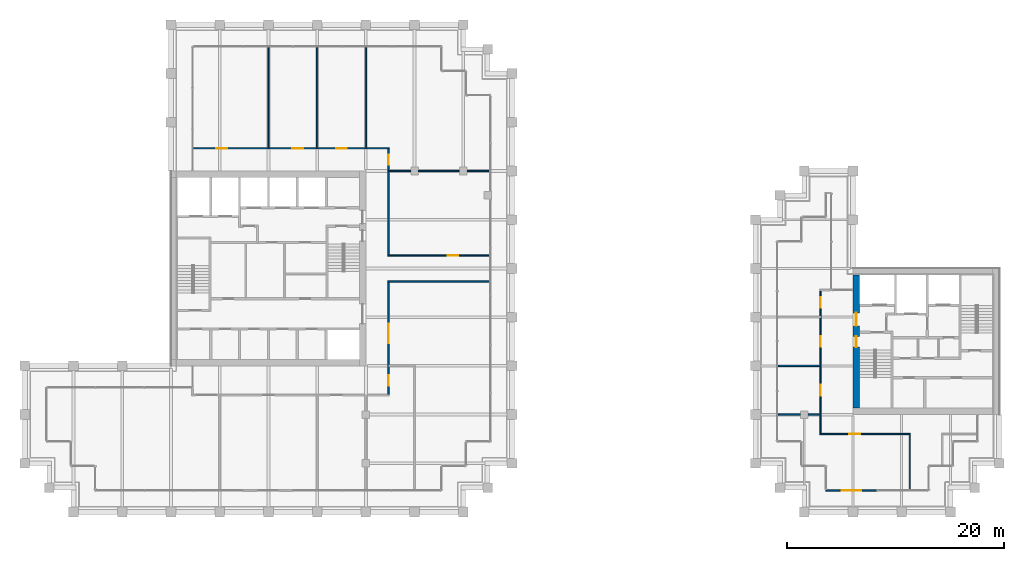
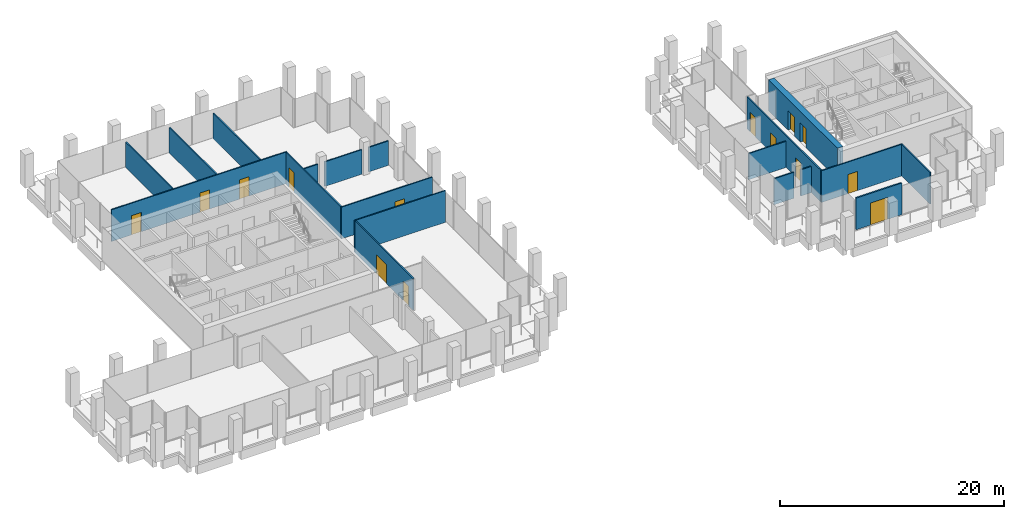
# One storey, part 37 of 40: 19 walls, 14 doors, 14 openings.
"""IFC4 building model written with IfcOpenShell, lengths in metres."""

import ifcopenshell
import ifcopenshell.guid

model = None  # the IFC model being written
_history = None  # IfcOwnerHistory: only IFC2X3 demands one
_inside = {}  # id of a spatial element -> (the spatial element, [elements in it])
_under = {}  # id of a project, library or spatial element -> (it, [spatial elements below it])
_declared = {}  # id of a project -> (the project, [libraries it declares])
_typed = {}  # id of a type object -> (the type object, [elements of that type])
_made_of = {}  # id of a material, layer set ... -> (it, [elements and type objects made of it])


def new_model(schema):
    """Start an empty IFC model of exactly this schema.

    Asked for "IFC4X3", IfcOpenShell would pick the latest addendum, in which some entities
    have other attributes; the version numbers below select the first issue.
    IFC2X3 requires an IfcOwnerHistory on every rooted entity: one is made here for all.
    """
    global model, _history
    if schema == "IFC4X3":
        model = ifcopenshell.file(schema_version=(4, 3, 0, 0))
    else:
        model = ifcopenshell.file(schema=schema)
    _inside.clear()
    _under.clear()
    _declared.clear()
    _typed.clear()
    _made_of.clear()
    _history = None
    if model.schema == "IFC2X3":
        org = make("IfcOrganization", Name="unknown")
        user = make(
            "IfcPersonAndOrganization",
            ThePerson=make("IfcPerson", FamilyName="unknown"),
            TheOrganization=org,
        )
        app = make(
            "IfcApplication",
            ApplicationDeveloper=org,
            Version="unknown",
            ApplicationFullName="unknown",
            ApplicationIdentifier="unknown",
        )
        _history = make(
            "IfcOwnerHistory",
            OwningUser=user,
            OwningApplication=app,
            ChangeAction="ADDED",
            CreationDate=0,
        )
    return model


def make(cls, **values):
    """One entity of the class cls with the attributes given. An attribute that is None is left unset."""
    return model.create_entity(
        cls, **{name: value for name, value in values.items() if value is not None}
    )


def rooted(cls, **values):
    """An entity with a GlobalId (a new one), such as an element, a storey or a relation."""
    return make(cls, GlobalId=ifcopenshell.guid.new(), OwnerHistory=_history, **values)


def si_unit(unit_type, name, prefix=None):
    """IfcSIUnit, for example si_unit("LENGTHUNIT", "METRE", prefix="MILLI")."""
    return make("IfcSIUnit", UnitType=unit_type, Prefix=prefix, Name=name)


def assignment(units):
    """IfcUnitAssignment: the units of a project."""
    return None if units is None else make("IfcUnitAssignment", Units=units)


def point(xyz):
    """IfcCartesianPoint."""
    return None if xyz is None else make("IfcCartesianPoint", Coordinates=xyz)


def direction(xyz):
    """IfcDirection."""
    return None if xyz is None else make("IfcDirection", DirectionRatios=xyz)


def frame(location, z_axis=None, x_axis=None):
    """IfcAxis2Placement3D, a coordinate frame: its origin and axes. An axis left out is left unset."""
    return make(
        "IfcAxis2Placement3D",
        Location=point(location),
        Axis=direction(z_axis),
        RefDirection=direction(x_axis),
    )


def frame_2d(location, x_axis=None):
    """IfcAxis2Placement2D, a coordinate frame in the plane: its origin and x axis."""
    return make(
        "IfcAxis2Placement2D", Location=point(location), RefDirection=direction(x_axis)
    )


def origin():
    """The frame at (0, 0, 0) with its axes left unset."""
    return frame((0.0, 0.0, 0.0))


def place(relative_to, where):
    """IfcLocalPlacement: puts the frame where relative to a parent placement (None: the world)."""
    return make(
        "IfcLocalPlacement", PlacementRelTo=relative_to, RelativePlacement=where
    )


def context(
    kind, dimensions, precision=None, world=None, true_north=None, identifier=None
):
    """IfcGeometricRepresentationContext, for example the 3D "Model" context."""
    return make(
        "IfcGeometricRepresentationContext",
        ContextIdentifier=identifier,
        ContextType=kind,
        CoordinateSpaceDimension=dimensions,
        Precision=precision,
        WorldCoordinateSystem=world,
        TrueNorth=true_north,
    )


def subcontext(parent, identifier, kind, view, scale=None):
    """IfcGeometricRepresentationSubContext, for example "Body" below "Model"."""
    return make(
        "IfcGeometricRepresentationSubContext",
        ContextIdentifier=identifier,
        ContextType=kind,
        ParentContext=parent,
        TargetScale=scale,
        TargetView=view,
    )


def project(units=None, contexts=None):
    """IfcProject with its units and contexts."""
    return rooted(
        "IfcProject",
        Name="project",
        RepresentationContexts=contexts,
        UnitsInContext=assignment(units),
    )


def spatial(cls, under=None, at=None, **own):
    """A site, building, storey or space (cls), placed at a placement, below another one or the project."""
    s = rooted(cls, ObjectPlacement=at, **own)
    if under is not None:
        _under.setdefault(under.id(), (under, []))[1].append(s)
    return s


def profile(cls, at=None, kind="AREA", **sizes):
    """A parametric profile (cls). Its sizes go by their IFC names, for example OverallWidth=200.0."""
    return make(cls, ProfileType=kind, Position=at, **sizes)


def rectangle(**sizes):
    """IfcRectangleProfileDef."""
    return profile("IfcRectangleProfileDef", **sizes)


def extrude(swept, where, along, depth):
    """IfcExtrudedAreaSolid: the profile swept, set in the frame where, extruded along a direction by depth."""
    return make(
        "IfcExtrudedAreaSolid",
        SweptArea=swept,
        Position=where,
        ExtrudedDirection=direction(along),
        Depth=depth,
    )


def shape(context_of_items, identifier, shape_type, items):
    """IfcShapeRepresentation: the items that make up one representation, for example the "Body"."""
    return make(
        "IfcShapeRepresentation",
        ContextOfItems=context_of_items,
        RepresentationIdentifier=identifier,
        RepresentationType=shape_type,
        Items=items,
    )


def material(Name=None, Category=None):
    """IfcMaterial."""
    return make("IfcMaterial", Name=Name, Category=Category)


def layer(
    of_material, thickness, ventilated=None, Name=None, Category=None, Priority=None
):
    """IfcMaterialLayer: one layer of a wall or slab, of a material (None: an air gap)."""
    return make(
        "IfcMaterialLayer",
        Material=of_material,
        LayerThickness=thickness,
        IsVentilated=ventilated,
        Name=Name,
        Category=Category,
        Priority=Priority,
    )


def layer_set(layers, Name=None):
    """IfcMaterialLayerSet."""
    return make("IfcMaterialLayerSet", MaterialLayers=layers, LayerSetName=Name)


def made_of(thing, what):
    """Note that an element or type object is made of a material, layer set ...; save() writes the relation."""
    if what is not None:
        _made_of.setdefault(what.id(), (what, []))[1].append(thing)
    return thing


def type_object(cls, material=None, **own):
    """A type object (cls), such as IfcWallType, which elements share."""
    return made_of(rooted(cls, **own), material)


def element(
    cls,
    number,
    at=None,
    inside=None,
    cuts=None,
    type_object=None,
    material=None,
    context=None,
    identifier="Body",
    shape_type=None,
    held_by="IfcProductDefinitionShape",
    body=None,
    shapes=None,
    **own,
):
    """One element of the class cls, such as IfcWall. Its Tag is "e" and its number.

    at: its placement. inside: the storey or other place that contains it. cuts: it is an
    opening in that element (IfcRelVoidsElement). A single representation is given by context,
    identifier, shape_type and body (its items); several are given by shapes. held_by: the class
    of the entity that holds the representations. save() writes the other relations.
    """
    e = rooted(cls, Tag="e%d" % number, ObjectPlacement=at, **own)
    if body is not None:
        shapes = [shape(context, identifier, shape_type, body)]
    if shapes is not None:
        e.Representation = make(held_by, Representations=shapes)
    if inside is not None:
        _inside.setdefault(inside.id(), (inside, []))[1].append(e)
    if cuts is not None:
        rooted(
            "IfcRelVoidsElement", RelatingBuildingElement=cuts, RelatedOpeningElement=e
        )
    if type_object is not None:
        _typed.setdefault(type_object.id(), (type_object, []))[1].append(e)
    return made_of(e, material)


def fill(opening, filler):
    """IfcRelFillsElement: the door or window that sits in an opening."""
    return rooted(
        "IfcRelFillsElement",
        RelatingOpeningElement=opening,
        RelatedBuildingElement=filler,
    )


def aggregate(whole, parts):
    """IfcRelAggregates: a whole, such as a stair, and the parts it consists of."""
    return rooted("IfcRelAggregates", RelatingObject=whole, RelatedObjects=parts)


def save(model, path):
    """Write the relations noted so far, then the file.

    IfcRelAggregates (storeys below a building ...), IfcRelContainedInSpatialStructure (elements
    in a storey), IfcRelDefinesByType, IfcRelAssociatesMaterial and IfcRelDeclares: one each for
    every whole, place, type object, material and project.
    """
    for whole, parts in _under.values():
        aggregate(whole, parts)
    for where, things in _inside.values():
        rooted(
            "IfcRelContainedInSpatialStructure",
            RelatedElements=things,
            RelatingStructure=where,
        )
    for kind, things in _typed.values():
        rooted("IfcRelDefinesByType", RelatedObjects=things, RelatingType=kind)
    for what, things in _made_of.values():
        rooted("IfcRelAssociatesMaterial", RelatedObjects=things, RelatingMaterial=what)
    for by, libraries in _declared.values():
        rooted("IfcRelDeclares", RelatingContext=by, RelatedDefinitions=libraries)
    model.write(path)


model = new_model("IFC4")

# Units and contexts
model_context = context("Model", 3, precision=1e-05, world=origin(), true_north=direction((0.0, 1.0)))
body_context = subcontext(model_context, "Body", "Model", "MODEL_VIEW")
ifc_project = project(units=[si_unit("LENGTHUNIT", "METRE"), si_unit("AREAUNIT", "SQUARE_METRE"), si_unit("VOLUMEUNIT", "CUBIC_METRE"), si_unit("PLANEANGLEUNIT", "RADIAN"), si_unit("MASSUNIT", "GRAM", prefix="KILO")], contexts=[model_context])

# Site, building, storey
site_placement = place(None, origin())
site = spatial("IfcSite", under=ifc_project, at=site_placement, CompositionType="ELEMENT")
building_placement = place(site_placement, origin())
building = spatial("IfcBuilding", under=site, at=building_placement, Name="Altepetl Exchange Towers", CompositionType="ELEMENT")
storey_placement = place(building_placement, frame((0.0, 0.0, 169.0)))
storey = spatial("IfcBuildingStorey", under=building, at=storey_placement, Name="L42", CompositionType="ELEMENT", Elevation=169.0)

# Wall, openings, doors
ifc_material_1 = material(Name="Concrete C70/85", Category="concrete")
ifc_layer_1 = layer(ifc_material_1, 0.60009765625)
ifc_layer_set_1 = layer_set([ifc_layer_1], Name="Concrete C70/85")
wall_type_1 = type_object("IfcWallType", Name="Core wall 600 reinforced concrete", PredefinedType="SHEAR", material=ifc_layer_set_1)
wall_1_placement = place(storey_placement, frame((103.800048828125, 36.60009765625, 0.0), z_axis=(0.0, 0.0, 1.0), x_axis=(0.0, 1.0, 0.0)))
wall_1 = element("IfcWall", 1, at=wall_1_placement, inside=storey, type_object=wall_type_1, Name="wall:B:L42:K-coreW", PredefinedType="SHEAR", context=body_context, shape_type="SweptSolid", body=[
    extrude(rectangle(XDim=12.2998046875, YDim=0.60009765625, at=frame_2d((6.14990234375, 0.0))), origin(), (0.0, 0.0, 1.0), 3.35009765625),
])
opening_1_placement = place(wall_1_placement, frame((7.60009765625, 0.0, 0.0)))
opening_1 = element("IfcOpeningElement", 2, at=opening_1_placement, cuts=wall_1, Name="Opening L42.B60", PredefinedType="OPENING", context=body_context, shape_type="SweptSolid", body=[
    extrude(rectangle(XDim=1.199951171875, YDim=2.10009765625, at=frame_2d((0.60009765625, 1.050048828125))), frame((0.0, 0.31005859375, 0.0), z_axis=(0.0, -1.0, 0.0), x_axis=(1.0, 0.0, 0.0)), (0.0, 0.0, 1.0), 0.6201171875),
])
opening_2_placement = place(wall_1_placement, frame((5.625, 0.0, 0.0)))
opening_2 = element("IfcOpeningElement", 3, at=opening_2_placement, cuts=wall_1, Name="Opening L42.B62", PredefinedType="OPENING", context=body_context, shape_type="SweptSolid", body=[
    extrude(rectangle(XDim=1.0, YDim=2.10009765625, at=frame_2d((0.5, 1.050048828125))), frame((0.0, 0.31005859375, 0.0), z_axis=(0.0, -1.0, 0.0), x_axis=(1.0, 0.0, 0.0)), (0.0, 0.0, 1.0), 0.6201171875),
])
ifc_material_2 = material(Name="Steel and timber fire door", Category="steel")
door_type_1 = type_object("IfcDoorType", Name="Fire door 1000 x 2100 stair and lobby", OperationType="SINGLE_SWING_LEFT", PredefinedType="DOOR", material=ifc_material_2)
door_1_placement = place(opening_2_placement, frame((1.0, 0.0, 0.0), x_axis=(-1.0, 0.0, 0.0)))
door_1 = element("IfcDoor", 4, at=door_1_placement, inside=storey, type_object=door_type_1, Name="door:B:L42:K-dS1x", OperationType="SINGLE_SWING_RIGHT", OverallHeight=2.10009765625, OverallWidth=1.0, PredefinedType="DOOR", context=body_context, shape_type="SweptSolid", body=[
    extrude(rectangle(XDim=1.0, YDim=2.10009765625, at=frame_2d((0.5, 1.050048828125))), frame((0.0, 0.02490234375, 0.0), z_axis=(0.0, -1.0, 0.0), x_axis=(1.0, 0.0, 0.0)), (0.0, 0.0, 1.0), 0.050048828125),
])
fill(opening_2, door_1)
door_type_2 = type_object("IfcDoorType", Name="Fire door 1200 x 2100 lobby entry", OperationType="SINGLE_SWING_LEFT", PredefinedType="DOOR", material=ifc_material_2)
door_2_placement = place(opening_1_placement, frame((1.199951171875, 0.0, 0.0), x_axis=(-1.0, 0.0, 0.0)))
door_2 = element("IfcDoor", 5, at=door_2_placement, inside=storey, type_object=door_type_2, Name="door:B:L42:K-dLNW", OperationType="SINGLE_SWING_RIGHT", OverallHeight=2.10009765625, OverallWidth=1.199951171875, PredefinedType="DOOR", context=body_context, shape_type="SweptSolid", body=[
    extrude(rectangle(XDim=1.199951171875, YDim=2.10009765625, at=frame_2d((0.60009765625, 1.050048828125))), frame((0.0, 0.02490234375, 0.0), z_axis=(0.0, -1.0, 0.0), x_axis=(1.0, 0.0, 0.0)), (0.0, 0.0, 1.0), 0.050048828125),
])
fill(opening_1, door_2)

# Wall, opening, door
ifc_material_3 = material(Name="Aluminium composite cladding", Category="aluminium")
ifc_layer_2 = layer(ifc_material_3, 0.14990234375)
ifc_layer_set_2 = layer_set([ifc_layer_2], Name="Aluminium composite cladding")
wall_type_2 = type_object("IfcWallType", Name="Infill wall 150 aluminium panel", PredefinedType="SOLIDWALL", material=ifc_layer_set_2)
wall_2_placement = place(storey_placement, frame((101.0, 29.0, 0.0)))
wall_2 = element("IfcWall", 6, at=wall_2_placement, inside=storey, type_object=wall_type_2, Name="Loggia door bay wall", PredefinedType="SOLIDWALL", context=body_context, shape_type="SweptSolid", body=[
    extrude(rectangle(XDim=4.71240234375, YDim=0.14990234375, at=frame_2d((2.356201171875, 0.0))), origin(), (0.0, 0.0, 1.0), 3.449951171875),
])
opening_3_placement = place(wall_2_placement, frame((1.456298828125, 0.0, 0.0)))
opening_3 = element("IfcOpeningElement", 7, at=opening_3_placement, cuts=wall_2, Name="Opening L42.B90", PredefinedType="OPENING", context=body_context, shape_type="SweptSolid", body=[
    extrude(rectangle(XDim=1.800048828125, YDim=2.39990234375, at=frame_2d((0.89990234375, 1.199951171875))), frame((0.0, 0.0849609375, 0.0), z_axis=(0.0, -1.0, 0.0), x_axis=(1.0, 0.0, 0.0)), (0.0, 0.0, 1.0), 0.169921875),
])
ifc_material_4 = material(Name="Aluminium 6063-T6 and glass", Category="aluminium")
door_type_3 = type_object("IfcDoorType", Name="Glazed door pair 1800x2400", OperationType="DOUBLE_DOOR_DOUBLE_SWING", PredefinedType="NOTDEFINED", material=ifc_material_4)
door_3_placement = place(opening_3_placement, frame((1.800048828125, 0.0, 0.0), x_axis=(-1.0, 0.0, 0.0)))
door_3 = element("IfcDoor", 8, at=door_3_placement, inside=storey, type_object=door_type_3, Name="Loggia door", OperationType="DOUBLE_DOOR_DOUBLE_SWING", OverallHeight=2.39990234375, OverallWidth=1.800048828125, PredefinedType="NOTDEFINED", context=body_context, shape_type="SweptSolid", body=[
    extrude(rectangle(XDim=1.800048828125, YDim=2.39990234375, at=frame_2d((0.89990234375, 1.199951171875))), frame((0.0, 0.02490234375, 0.0), z_axis=(0.0, -1.0, 0.0), x_axis=(1.0, 0.0, 0.0)), (0.0, 0.0, 1.0), 0.050048828125),
])
fill(opening_3, door_3)

# Walls
ifc_material_5 = material(Name="Timber panels on aluminium track", Category="wood")
ifc_layer_3 = layer(ifc_material_5, 0.125)
ifc_layer_set_3 = layer_set([ifc_layer_3], Name="Timber panels on aluminium track")
wall_type_3 = type_object("IfcWallType", Name="Operable acoustic partition 125", PredefinedType="MOVABLE", material=ifc_layer_set_3)
for number, where, z_axis, x_axis, name in (
    (9, (49.5, 60.60009765625, 0.0), (0.0, 0.0, 1.0), (0.0, 1.0, 0.0), "wall:A:L42:P11"),
    (10, (54.0, 60.60009765625, 0.0), (0.0, 0.0, 1.0), (0.0, 1.0, 0.0), "wall:A:L42:P13"),
):
    element("IfcWall", number, at=place(storey_placement, frame(where, z_axis=z_axis, x_axis=x_axis)), inside=storey, type_object=wall_type_3, Name=name, PredefinedType="MOVABLE", context=body_context, shape_type="SweptSolid", body=[
        extrude(rectangle(XDim=9.2998046875, YDim=0.125, at=frame_2d((4.64990234375, 0.0))), origin(), (0.0, 0.0, 1.0), 2.76611328125),
    ])
ifc_material_6 = material(Name="Gypsum board on steel studs", Category="steel")
ifc_layer_4 = layer(ifc_material_6, 0.125)
ifc_layer_set_4 = layer_set([ifc_layer_4], Name="Gypsum board on steel studs")
wall_type_4 = type_object("IfcWallType", Name="Partition 125 gypsum board on steel studs", PredefinedType="PARTITIONING", material=ifc_layer_set_4)
wall_3_placement = place(storey_placement, frame((60.53759765625, 48.300048828125, 0.0)))
element("IfcWall", 11, at=wall_3_placement, inside=storey, type_object=wall_type_4, Name="wall:A:L42:P03", PredefinedType="PARTITIONING", context=body_context, shape_type="SweptSolid", body=[
    extrude(rectangle(XDim=9.3623046875, YDim=0.125, at=frame_2d((4.68115234375, 0.0))), origin(), (0.0, 0.0, 1.0), 3.449951171875),
])

# Wall, opening, door
wall_4_placement = place(storey_placement, frame((60.53759765625, 50.699951171875, 0.0)))
wall_4 = element("IfcWall", 12, at=wall_4_placement, inside=storey, type_object=wall_type_4, Name="wall:A:L42:P04", PredefinedType="PARTITIONING", context=body_context, shape_type="SweptSolid", body=[
    extrude(rectangle(XDim=9.3623046875, YDim=0.125, at=frame_2d((4.68115234375, 0.0))), origin(), (0.0, 0.0, 1.0), 3.449951171875),
])
opening_4_placement = place(wall_4_placement, frame((5.507568359375, 0.0, 0.0)))
opening_4 = element("IfcOpeningElement", 13, at=opening_4_placement, cuts=wall_4, Name="Opening L42.A06", PredefinedType="OPENING", context=body_context, shape_type="SweptSolid", body=[
    extrude(rectangle(XDim=1.0, YDim=2.10009765625, at=frame_2d((0.5, 1.050048828125))), frame((0.0, 0.072509765625, 0.0), z_axis=(0.0, -1.0, 0.0), x_axis=(1.0, 0.0, 0.0)), (0.0, 0.0, 1.0), 0.14501953125),
])
door_type_4 = type_object("IfcDoorType", Name="Fire door 1000 x 2100 single leaf", OperationType="SINGLE_SWING_LEFT", PredefinedType="DOOR", material=ifc_material_2)
door_4_placement = place(opening_4_placement, origin())
door_4 = element("IfcDoor", 14, at=door_4_placement, inside=storey, type_object=door_type_4, Name="door:A:L42:06", OperationType="SINGLE_SWING_LEFT", OverallHeight=2.10009765625, OverallWidth=1.0, PredefinedType="DOOR", context=body_context, shape_type="SweptSolid", body=[
    extrude(rectangle(XDim=1.0, YDim=2.10009765625, at=frame_2d((0.5, 1.050048828125))), frame((0.0, 0.02490234375, 0.0), z_axis=(0.0, -1.0, 0.0), x_axis=(1.0, 0.0, 0.0)), (0.0, 0.0, 1.0), 0.050048828125),
])
fill(opening_4, door_4)

# Walls
wall_5_placement = place(storey_placement, frame((60.60009765625, 58.5, 0.0)))
element("IfcWall", 15, at=wall_5_placement, inside=storey, type_object=wall_type_4, Name="wall:A:L42:P05", PredefinedType="PARTITIONING", context=body_context, shape_type="SweptSolid", body=[
    extrude(rectangle(XDim=2.0498046875, YDim=0.125, at=frame_2d((1.02490234375, 0.0))), origin(), (0.0, 0.0, 1.0), 2.676025390625),
])
wall_6_placement = place(storey_placement, frame((63.35009765625, 58.5, 0.0)))
element("IfcWall", 16, at=wall_6_placement, inside=storey, type_object=wall_type_4, Name="wall:A:L42:P06", PredefinedType="PARTITIONING", context=body_context, shape_type="SweptSolid", body=[
    extrude(rectangle(XDim=3.7998046875, YDim=0.125, at=frame_2d((1.89990234375, 0.0))), origin(), (0.0, 0.0, 1.0), 2.676025390625),
])
wall_7_placement = place(storey_placement, frame((67.85009765625, 58.5, 0.0)))
element("IfcWall", 17, at=wall_7_placement, inside=storey, type_object=wall_type_4, Name="wall:A:L42:P07", PredefinedType="PARTITIONING", context=body_context, shape_type="SweptSolid", body=[
    extrude(rectangle(XDim=2.0498046875, YDim=0.125, at=frame_2d((1.02490234375, 0.0))), origin(), (0.0, 0.0, 1.0), 2.676025390625),
])

# Wall, openings, doors
wall_8_placement = place(storey_placement, frame((42.60009765625, 60.60009765625, 0.0)))
wall_8 = element("IfcWall", 18, at=wall_8_placement, inside=storey, type_object=wall_type_4, Name="wall:A:L42:P08", PredefinedType="PARTITIONING", context=body_context, shape_type="SweptSolid", body=[
    extrude(rectangle(XDim=18.0625, YDim=0.125, at=frame_2d((9.03125, 0.0))), origin(), (0.0, 0.0, 1.0), 3.449951171875),
])
opening_5_placement = place(wall_8_placement, frame((2.074951171875, 0.0, 0.0)))
opening_5 = element("IfcOpeningElement", 19, at=opening_5_placement, cuts=wall_8, Name="Opening L42.A08", PredefinedType="OPENING", context=body_context, shape_type="SweptSolid", body=[
    extrude(rectangle(XDim=1.0, YDim=2.10009765625, at=frame_2d((0.5, 1.050048828125))), frame((0.0, 0.072509765625, 0.0), z_axis=(0.0, -1.0, 0.0), x_axis=(1.0, 0.0, 0.0)), (0.0, 0.0, 1.0), 0.14501953125),
])
opening_6_placement = place(wall_8_placement, frame((9.10498046875, 0.0, 0.0)))
opening_6 = element("IfcOpeningElement", 20, at=opening_6_placement, cuts=wall_8, Name="Opening L42.A09", PredefinedType="OPENING", context=body_context, shape_type="SweptSolid", body=[
    extrude(rectangle(XDim=1.0, YDim=2.10009765625, at=frame_2d((0.5, 1.050048828125))), frame((0.0, 0.072509765625, 0.0), z_axis=(0.0, -1.0, 0.0), x_axis=(1.0, 0.0, 0.0)), (0.0, 0.0, 1.0), 0.14501953125),
])
opening_7_placement = place(wall_8_placement, frame((13.14990234375, 0.0, 0.0)))
opening_7 = element("IfcOpeningElement", 21, at=opening_7_placement, cuts=wall_8, Name="Opening L42.A10", PredefinedType="OPENING", context=body_context, shape_type="SweptSolid", body=[
    extrude(rectangle(XDim=1.0, YDim=2.10009765625, at=frame_2d((0.5, 1.050048828125))), frame((0.0, 0.072509765625, 0.0), z_axis=(0.0, -1.0, 0.0), x_axis=(1.0, 0.0, 0.0)), (0.0, 0.0, 1.0), 0.14501953125),
])
door_5_placement = place(opening_5_placement, origin())
door_5 = element("IfcDoor", 22, at=door_5_placement, inside=storey, type_object=door_type_4, Name="door:A:L42:08", OperationType="SINGLE_SWING_RIGHT", OverallHeight=2.10009765625, OverallWidth=1.0, PredefinedType="DOOR", context=body_context, shape_type="SweptSolid", body=[
    extrude(rectangle(XDim=1.0, YDim=2.10009765625, at=frame_2d((0.5, 1.050048828125))), frame((0.0, 0.02490234375, 0.0), z_axis=(0.0, -1.0, 0.0), x_axis=(1.0, 0.0, 0.0)), (0.0, 0.0, 1.0), 0.050048828125),
])
fill(opening_5, door_5)
door_6_placement = place(opening_6_placement, origin())
door_6 = element("IfcDoor", 23, at=door_6_placement, inside=storey, type_object=door_type_4, Name="door:A:L42:09", OperationType="SINGLE_SWING_RIGHT", OverallHeight=2.10009765625, OverallWidth=1.0, PredefinedType="DOOR", context=body_context, shape_type="SweptSolid", body=[
    extrude(rectangle(XDim=1.0, YDim=2.10009765625, at=frame_2d((0.5, 1.050048828125))), frame((0.0, 0.02490234375, 0.0), z_axis=(0.0, -1.0, 0.0), x_axis=(1.0, 0.0, 0.0)), (0.0, 0.0, 1.0), 0.050048828125),
])
fill(opening_6, door_6)
door_7_placement = place(opening_7_placement, origin())
door_7 = element("IfcDoor", 24, at=door_7_placement, inside=storey, type_object=door_type_4, Name="door:A:L42:10", OperationType="SINGLE_SWING_LEFT", OverallHeight=2.10009765625, OverallWidth=1.0, PredefinedType="DOOR", context=body_context, shape_type="SweptSolid", body=[
    extrude(rectangle(XDim=1.0, YDim=2.10009765625, at=frame_2d((0.5, 1.050048828125))), frame((0.0, 0.02490234375, 0.0), z_axis=(0.0, -1.0, 0.0), x_axis=(1.0, 0.0, 0.0)), (0.0, 0.0, 1.0), 0.050048828125),
])
fill(opening_7, door_7)

# Wall
wall_9_placement = place(storey_placement, frame((58.5, 60.60009765625, 0.0), z_axis=(0.0, 0.0, 1.0), x_axis=(0.0, 1.0, 0.0)))
element("IfcWall", 25, at=wall_9_placement, inside=storey, type_object=wall_type_4, Name="wall:A:L42:P17", PredefinedType="PARTITIONING", context=body_context, shape_type="SweptSolid", body=[
    extrude(rectangle(XDim=9.2998046875, YDim=0.125, at=frame_2d((4.64990234375, 0.0))), origin(), (0.0, 0.0, 1.0), 2.76611328125),
])

# Wall, openings, doors
wall_10_placement = place(storey_placement, frame((60.60009765625, 37.862548828125, 0.0), z_axis=(0.0, 0.0, 1.0), x_axis=(0.0, 1.0, 0.0)))
wall_10 = element("IfcWall", 26, at=wall_10_placement, inside=storey, type_object=wall_type_4, Name="wall:A:L42:P18", PredefinedType="PARTITIONING", context=body_context, shape_type="SweptSolid", body=[
    extrude(rectangle(XDim=10.375, YDim=0.125, at=frame_2d((5.1875, 0.0))), origin(), (0.0, 0.0, 1.0), 3.449951171875),
])
opening_8_placement = place(wall_10_placement, frame((0.78759765625, 0.0, 0.0)))
opening_8 = element("IfcOpeningElement", 27, at=opening_8_placement, cuts=wall_10, Name="Opening L42.A04", PredefinedType="OPENING", context=body_context, shape_type="SweptSolid", body=[
    extrude(rectangle(XDim=1.0, YDim=2.10009765625, at=frame_2d((0.5, 1.050048828125))), frame((0.0, 0.072509765625, 0.0), z_axis=(0.0, -1.0, 0.0), x_axis=(1.0, 0.0, 0.0)), (0.0, 0.0, 1.0), 0.14501953125),
])
opening_9_placement = place(wall_10_placement, frame((4.74560546875, 0.0, 0.0)))
opening_9 = element("IfcOpeningElement", 28, at=opening_9_placement, cuts=wall_10, Name="Opening L42.A05", PredefinedType="OPENING", context=body_context, shape_type="SweptSolid", body=[
    extrude(rectangle(XDim=1.800048828125, YDim=2.10009765625, at=frame_2d((0.89990234375, 1.050048828125))), frame((0.0, 0.072509765625, 0.0), z_axis=(0.0, -1.0, 0.0), x_axis=(1.0, 0.0, 0.0)), (0.0, 0.0, 1.0), 0.14501953125),
])
door_8_placement = place(opening_8_placement, frame((1.0, 0.0, 0.0), x_axis=(-1.0, 0.0, 0.0)))
door_8 = element("IfcDoor", 29, at=door_8_placement, inside=storey, type_object=door_type_4, Name="door:A:L42:04", OperationType="SINGLE_SWING_RIGHT", OverallHeight=2.10009765625, OverallWidth=1.0, PredefinedType="DOOR", context=body_context, shape_type="SweptSolid", body=[
    extrude(rectangle(XDim=1.0, YDim=2.10009765625, at=frame_2d((0.5, 1.050048828125))), frame((0.0, 0.02490234375, 0.0), z_axis=(0.0, -1.0, 0.0), x_axis=(1.0, 0.0, 0.0)), (0.0, 0.0, 1.0), 0.050048828125),
])
fill(opening_8, door_8)
door_type_5 = type_object("IfcDoorType", Name="Fire door 1800 x 2100 double leaf", OperationType="DOUBLE_DOOR_SINGLE_SWING", PredefinedType="DOOR", material=ifc_material_2)
door_9_placement = place(opening_9_placement, frame((1.800048828125, 0.0, 0.0), x_axis=(-1.0, 0.0, 0.0)))
door_9 = element("IfcDoor", 30, at=door_9_placement, inside=storey, type_object=door_type_5, Name="door:A:L42:05", OperationType="DOUBLE_DOOR_SINGLE_SWING", OverallHeight=2.10009765625, OverallWidth=1.800048828125, PredefinedType="DOOR", context=body_context, shape_type="SweptSolid", body=[
    extrude(rectangle(XDim=1.800048828125, YDim=2.10009765625, at=frame_2d((0.89990234375, 1.050048828125))), frame((0.0, 0.02490234375, 0.0), z_axis=(0.0, -1.0, 0.0), x_axis=(1.0, 0.0, 0.0)), (0.0, 0.0, 1.0), 0.050048828125),
])
fill(opening_9, door_9)

# Wall, opening, door
wall_11_placement = place(storey_placement, frame((60.60009765625, 50.762451171875, 0.0), z_axis=(0.0, 0.0, 1.0), x_axis=(0.0, 1.0, 0.0)))
wall_11 = element("IfcWall", 31, at=wall_11_placement, inside=storey, type_object=wall_type_4, Name="wall:A:L42:P19", PredefinedType="PARTITIONING", context=body_context, shape_type="SweptSolid", body=[
    extrude(rectangle(XDim=9.775146484375, YDim=0.125, at=frame_2d((4.8876953125, 0.0))), origin(), (0.0, 0.0, 1.0), 3.449951171875),
])
opening_10_placement = place(wall_11_placement, frame((8.33740234375, 0.0, 0.0)))
opening_10 = element("IfcOpeningElement", 32, at=opening_10_placement, cuts=wall_11, Name="Opening L42.A07", PredefinedType="OPENING", context=body_context, shape_type="SweptSolid", body=[
    extrude(rectangle(XDim=0.89990234375, YDim=2.10009765625, at=frame_2d((0.449951171875, 1.050048828125))), frame((0.0, 0.072509765625, 0.0), z_axis=(0.0, -1.0, 0.0), x_axis=(1.0, 0.0, 0.0)), (0.0, 0.0, 1.0), 0.14501953125),
])
door_type_6 = type_object("IfcDoorType", Name="Fire door 900 x 2100 single leaf", OperationType="SINGLE_SWING_LEFT", PredefinedType="DOOR", material=ifc_material_2)
door_10_placement = place(opening_10_placement, frame((0.89990234375, 0.0, 0.0), x_axis=(-1.0, 0.0, 0.0)))
door_10 = element("IfcDoor", 33, at=door_10_placement, inside=storey, type_object=door_type_6, Name="door:A:L42:07", OperationType="SINGLE_SWING_LEFT", OverallHeight=2.10009765625, OverallWidth=0.89990234375, PredefinedType="DOOR", context=body_context, shape_type="SweptSolid", body=[
    extrude(rectangle(XDim=0.89990234375, YDim=2.10009765625, at=frame_2d((0.449951171875, 1.050048828125))), frame((0.0, 0.02490234375, 0.0), z_axis=(0.0, -1.0, 0.0), x_axis=(1.0, 0.0, 0.0)), (0.0, 0.0, 1.0), 0.050048828125),
])
fill(opening_10, door_10)

wall_12_placement = place(storey_placement, frame((100.4375, 34.199951171875, 0.0)))
wall_12 = element("IfcWall", 34, at=wall_12_placement, inside=storey, type_object=wall_type_4, Name="wall:B:L42:P01", PredefinedType="PARTITIONING", context=body_context, shape_type="SweptSolid", body=[
    extrude(rectangle(XDim=8.375, YDim=0.125, at=frame_2d((4.1875, 0.0))), origin(), (0.0, 0.0, 1.0), 3.449951171875),
])
opening_11_placement = place(wall_12_placement, frame((2.737548828125, 0.0, 0.0)))
opening_11 = element("IfcOpeningElement", 35, at=opening_11_placement, cuts=wall_12, Name="Opening L42.B02", PredefinedType="OPENING", context=body_context, shape_type="SweptSolid", body=[
    extrude(rectangle(XDim=1.0, YDim=2.10009765625, at=frame_2d((0.5, 1.050048828125))), frame((0.0, 0.072509765625, 0.0), z_axis=(0.0, -1.0, 0.0), x_axis=(1.0, 0.0, 0.0)), (0.0, 0.0, 1.0), 0.14501953125),
])
door_11_placement = place(opening_11_placement, frame((1.0, 0.0, 0.0), x_axis=(-1.0, 0.0, 0.0)))
door_11 = element("IfcDoor", 36, at=door_11_placement, inside=storey, type_object=door_type_4, Name="door:B:L42:02", OperationType="SINGLE_SWING_LEFT", OverallHeight=2.10009765625, OverallWidth=1.0, PredefinedType="DOOR", context=body_context, shape_type="SweptSolid", body=[
    extrude(rectangle(XDim=1.0, YDim=2.10009765625, at=frame_2d((0.5, 1.050048828125))), frame((0.0, 0.02490234375, 0.0), z_axis=(0.0, -1.0, 0.0), x_axis=(1.0, 0.0, 0.0)), (0.0, 0.0, 1.0), 0.050048828125),
])
fill(opening_11, door_11)

# Walls
wall_13_placement = place(storey_placement, frame((96.60009765625, 36.0, 0.0)))
element("IfcWall", 37, at=wall_13_placement, inside=storey, type_object=wall_type_4, Name="wall:B:L42:P03", PredefinedType="PARTITIONING", context=body_context, shape_type="SweptSolid", body=[
    extrude(rectangle(XDim=2.0498046875, YDim=0.125, at=frame_2d((1.02490234375, 0.0))), origin(), (0.0, 0.0, 1.0), 2.842041015625),
])
wall_14_placement = place(storey_placement, frame((99.35009765625, 36.0, 0.0)))
element("IfcWall", 38, at=wall_14_placement, inside=storey, type_object=wall_type_4, Name="wall:B:L42:P04", PredefinedType="PARTITIONING", context=body_context, shape_type="SweptSolid", body=[
    extrude(rectangle(XDim=1.14990234375, YDim=0.125, at=frame_2d((0.574951171875, 0.0))), origin(), (0.0, 0.0, 1.0), 2.842041015625),
])
wall_15_placement = place(storey_placement, frame((96.60009765625, 40.5, 0.0)))
element("IfcWall", 39, at=wall_15_placement, inside=storey, type_object=wall_type_4, Name="wall:B:L42:P05", PredefinedType="PARTITIONING", context=body_context, shape_type="SweptSolid", body=[
    extrude(rectangle(XDim=3.89990234375, YDim=0.125, at=frame_2d((1.949951171875, 0.0))), origin(), (0.0, 0.0, 1.0), 2.85107421875),
])

# Wall, openings, doors
wall_16_placement = place(storey_placement, frame((100.5, 34.262451171875, 0.0), z_axis=(0.0, 0.0, 1.0), x_axis=(0.0, 1.0, 0.0)))
wall_16 = element("IfcWall", 40, at=wall_16_placement, inside=storey, type_object=wall_type_4, Name="wall:B:L42:P08", PredefinedType="PARTITIONING", context=body_context, shape_type="SweptSolid", body=[
    extrude(rectangle(XDim=13.175048828125, YDim=0.125, at=frame_2d((6.58740234375, 0.0))), origin(), (0.0, 0.0, 1.0), 3.449951171875),
])
opening_12_placement = place(wall_16_placement, frame((3.487548828125, 0.0, 0.0)))
opening_12 = element("IfcOpeningElement", 41, at=opening_12_placement, cuts=wall_16, Name="Opening L42.B01", PredefinedType="OPENING", context=body_context, shape_type="SweptSolid", body=[
    extrude(rectangle(XDim=1.0, YDim=2.10009765625, at=frame_2d((0.5, 1.050048828125))), frame((0.0, 0.072509765625, 0.0), z_axis=(0.0, -1.0, 0.0), x_axis=(1.0, 0.0, 0.0)), (0.0, 0.0, 1.0), 0.14501953125),
])
opening_13_placement = place(wall_16_placement, frame((11.592529296875, 0.0, 0.0)))
opening_13 = element("IfcOpeningElement", 42, at=opening_13_placement, cuts=wall_16, Name="Opening L42.B03", PredefinedType="OPENING", context=body_context, shape_type="SweptSolid", body=[
    extrude(rectangle(XDim=1.0, YDim=2.10009765625, at=frame_2d((0.5, 1.050048828125))), frame((0.0, 0.072509765625, 0.0), z_axis=(0.0, -1.0, 0.0), x_axis=(1.0, 0.0, 0.0)), (0.0, 0.0, 1.0), 0.14501953125),
])
opening_14_placement = place(wall_16_placement, frame((7.987548828125, 0.0, 0.0)))
opening_14 = element("IfcOpeningElement", 43, at=opening_14_placement, cuts=wall_16, Name="Opening L42.B04", PredefinedType="OPENING", context=body_context, shape_type="SweptSolid", body=[
    extrude(rectangle(XDim=1.0, YDim=2.10009765625, at=frame_2d((0.5, 1.050048828125))), frame((0.0, 0.072509765625, 0.0), z_axis=(0.0, -1.0, 0.0), x_axis=(1.0, 0.0, 0.0)), (0.0, 0.0, 1.0), 0.14501953125),
])
door_12_placement = place(opening_12_placement, origin())
door_12 = element("IfcDoor", 44, at=door_12_placement, inside=storey, type_object=door_type_4, Name="door:B:L42:01", OperationType="SINGLE_SWING_RIGHT", OverallHeight=2.10009765625, OverallWidth=1.0, PredefinedType="DOOR", context=body_context, shape_type="SweptSolid", body=[
    extrude(rectangle(XDim=1.0, YDim=2.10009765625, at=frame_2d((0.5, 1.050048828125))), frame((0.0, 0.02490234375, 0.0), z_axis=(0.0, -1.0, 0.0), x_axis=(1.0, 0.0, 0.0)), (0.0, 0.0, 1.0), 0.050048828125),
])
fill(opening_12, door_12)
door_13_placement = place(opening_13_placement, origin())
door_13 = element("IfcDoor", 45, at=door_13_placement, inside=storey, type_object=door_type_4, Name="door:B:L42:03", OperationType="SINGLE_SWING_RIGHT", OverallHeight=2.10009765625, OverallWidth=1.0, PredefinedType="DOOR", context=body_context, shape_type="SweptSolid", body=[
    extrude(rectangle(XDim=1.0, YDim=2.10009765625, at=frame_2d((0.5, 1.050048828125))), frame((0.0, 0.02490234375, 0.0), z_axis=(0.0, -1.0, 0.0), x_axis=(1.0, 0.0, 0.0)), (0.0, 0.0, 1.0), 0.050048828125),
])
fill(opening_13, door_13)
door_14_placement = place(opening_14_placement, origin())
door_14 = element("IfcDoor", 46, at=door_14_placement, inside=storey, type_object=door_type_4, Name="door:B:L42:04", OperationType="SINGLE_SWING_LEFT", OverallHeight=2.10009765625, OverallWidth=1.0, PredefinedType="DOOR", context=body_context, shape_type="SweptSolid", body=[
    extrude(rectangle(XDim=1.0, YDim=2.10009765625, at=frame_2d((0.5, 1.050048828125))), frame((0.0, 0.02490234375, 0.0), z_axis=(0.0, -1.0, 0.0), x_axis=(1.0, 0.0, 0.0)), (0.0, 0.0, 1.0), 0.050048828125),
])
fill(opening_14, door_14)

# Wall
wall_17_placement = place(storey_placement, frame((108.75, 29.10009765625, 0.0), z_axis=(0.0, 0.0, 1.0), x_axis=(0.0, 1.0, 0.0)))
element("IfcWall", 47, at=wall_17_placement, inside=storey, type_object=wall_type_4, Name="wall:B:L42:P09", PredefinedType="PARTITIONING", context=body_context, shape_type="SweptSolid", body=[
    extrude(rectangle(XDim=5.037353515625, YDim=0.125, at=frame_2d((2.5185546875, 0.0))), origin(), (0.0, 0.0, 1.0), 3.449951171875),
])

save(model, "model.ifc")
